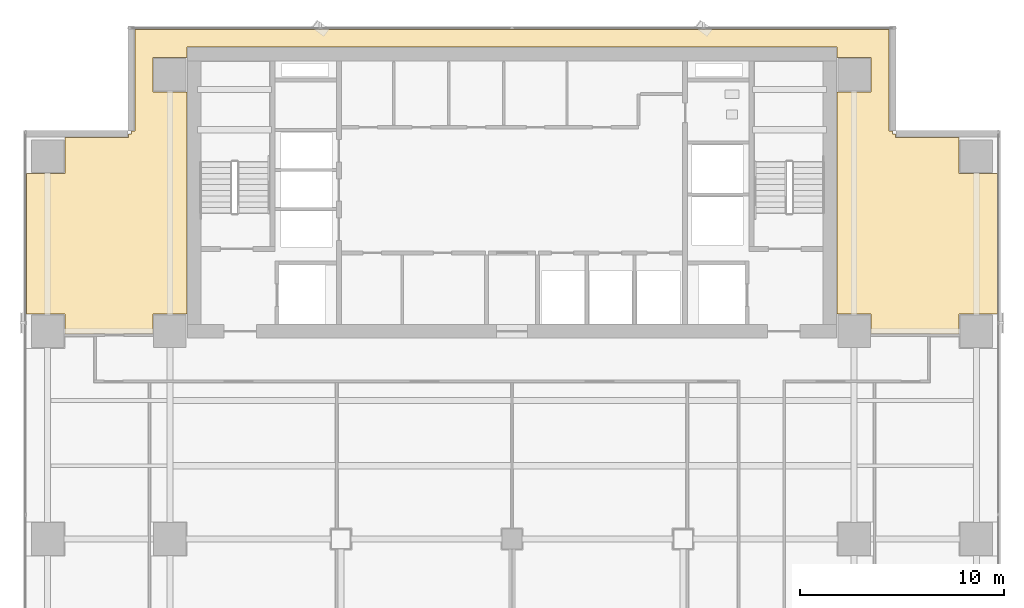
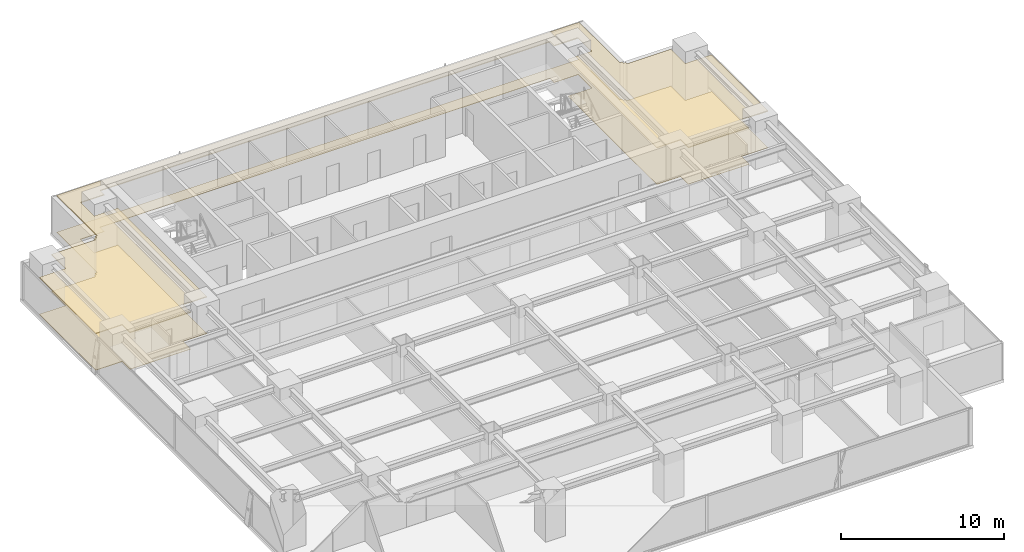
# One storey, part 26 of 28: 2 coverings.
"""IFC4 building model written with IfcOpenShell, lengths in metres."""

from ifc_helpers import new_model, si_unit, direction, frame, origin, place, context, subcontext, project, spatial, polyline, outline, extrude, material, layer, layer_set, type_object, element, save


model = new_model("IFC4")

# Units and contexts
model_context = context("Model", 3, precision=1e-05, world=origin(), true_north=direction((0.0, 1.0)))
body_context = subcontext(model_context, "Body", "Model", "MODEL_VIEW")
ifc_project = project(units=[si_unit("LENGTHUNIT", "METRE"), si_unit("AREAUNIT", "SQUARE_METRE"), si_unit("VOLUMEUNIT", "CUBIC_METRE"), si_unit("PLANEANGLEUNIT", "RADIAN"), si_unit("MASSUNIT", "GRAM", prefix="KILO")], contexts=[model_context])

# Site, building, storey
site_placement = place(None, origin())
site = spatial("IfcSite", under=ifc_project, at=site_placement, CompositionType="ELEMENT")
building_placement = place(site_placement, origin())
building = spatial("IfcBuilding", under=site, at=building_placement, Name="Sumidabori Civic Tower", CompositionType="ELEMENT")
storey_placement = place(building_placement, frame((0.0, 0.0, 182.0)))
storey = spatial("IfcBuildingStorey", under=building, at=storey_placement, Name="L47", CompositionType="ELEMENT", Elevation=182.0)

# Coverings
ifc_material_1 = material(Name="Gypsum Coffered Acoustic Ceiling")
ifc_layer_1 = layer(ifc_material_1, 0.06494140625, Name="Gypsum Coffered Acoustic Ceiling")
ifc_layer_set_1 = layer_set([ifc_layer_1], Name="Gypsum Coffered Acoustic Ceiling")
covering_type_1 = type_object("IfcCoveringType", Name="CV-CEIL-AC4", PredefinedType="CEILING", material=ifc_layer_set_1)
covering_1_placement = place(storey_placement, frame((0.0, 0.0, 2.72998046875)))
element("IfcCovering", 1, at=covering_1_placement, inside=storey, type_object=covering_type_1, Name="Room Acoustic Ceiling L47-01", PredefinedType="CEILING", context=body_context, shape_type="SweptSolid", body=[
    extrude(outline(polyline([(-23.830078125, 17.9599609375), (-21.9599609375, 17.9599609375), (-21.9599609375, 19.721923828125), (-18.842041015625, 19.721923828125), (-18.842041015625, 19.8798828125), (-18.679931640625, 19.8798828125), (-18.679931640625, 20.0419921875), (-18.52197265625, 20.0419921875), (-18.52197265625, 25.030029296875), (18.52197265625, 25.030029296875), (18.52197265625, 20.0419921875), (18.679931640625, 20.0419921875), (18.679931640625, 19.8798828125), (18.842041015625, 19.8798828125), (18.842041015625, 19.721923828125), (21.9599609375, 19.721923828125), (21.9599609375, 17.9599609375), (23.830078125, 17.9599609375), (23.830078125, 11.0400390625), (21.9599609375, 11.0400390625), (21.9599609375, 10.080078125), (20.5400390625, 10.080078125), (20.5400390625, 10.090087890625), (17.639892578125, 10.090087890625), (17.639892578125, 11.0400390625), (15.952880859375, 11.0400390625), (15.952880859375, 21.9599609375), (17.639892578125, 21.9599609375), (17.639892578125, 23.639892578125), (15.952880859375, 23.639892578125), (15.952880859375, 24.153076171875), (-15.952880859375, 24.153076171875), (-15.952880859375, 23.639892578125), (-17.639892578125, 23.639892578125), (-17.639892578125, 21.9599609375), (-15.952880859375, 21.9599609375), (-15.952880859375, 11.0400390625), (-17.639892578125, 11.0400390625), (-17.639892578125, 10.090087890625), (-20.5400390625, 10.090087890625), (-20.5400390625, 10.080078125), (-21.9599609375, 10.080078125), (-21.9599609375, 11.0400390625), (-23.830078125, 11.0400390625), (-23.830078125, 17.9599609375)])), origin(), (0.0, 0.0, 1.0), 0.06494140625),
])
ifc_material_2 = material(Name="Honed Terrazzo Tile Flooring")
ifc_layer_2 = layer(ifc_material_2, 0.030029296875, Name="Honed Terrazzo Tile Flooring")
ifc_layer_set_2 = layer_set([ifc_layer_2], Name="Honed Terrazzo Tile Flooring")
covering_type_2 = type_object("IfcCoveringType", Name="CV-FLR-TER", PredefinedType="FLOORING", material=ifc_layer_set_2)
covering_2_placement = place(storey_placement, origin())
element("IfcCovering", 2, at=covering_2_placement, inside=storey, type_object=covering_type_2, Name="Room Terrazzo Floor L47-01", PredefinedType="FLOORING", context=body_context, shape_type="SweptSolid", body=[
    extrude(outline(polyline([(-23.830078125, 17.9599609375), (-21.9599609375, 17.9599609375), (-21.9599609375, 19.721923828125), (-18.842041015625, 19.721923828125), (-18.842041015625, 19.8798828125), (-18.679931640625, 19.8798828125), (-18.679931640625, 20.0419921875), (-18.52197265625, 20.0419921875), (-18.52197265625, 25.030029296875), (18.52197265625, 25.030029296875), (18.52197265625, 20.0419921875), (18.679931640625, 20.0419921875), (18.679931640625, 19.8798828125), (18.842041015625, 19.8798828125), (18.842041015625, 19.721923828125), (21.9599609375, 19.721923828125), (21.9599609375, 17.9599609375), (23.830078125, 17.9599609375), (23.830078125, 11.0400390625), (21.9599609375, 11.0400390625), (21.9599609375, 10.080078125), (20.5400390625, 10.080078125), (20.5400390625, 10.090087890625), (17.639892578125, 10.090087890625), (17.639892578125, 11.0400390625), (15.952880859375, 11.0400390625), (15.952880859375, 21.9599609375), (17.639892578125, 21.9599609375), (17.639892578125, 23.639892578125), (15.952880859375, 23.639892578125), (15.952880859375, 24.153076171875), (-15.952880859375, 24.153076171875), (-15.952880859375, 23.639892578125), (-17.639892578125, 23.639892578125), (-17.639892578125, 21.9599609375), (-15.952880859375, 21.9599609375), (-15.952880859375, 11.0400390625), (-17.639892578125, 11.0400390625), (-17.639892578125, 10.090087890625), (-20.5400390625, 10.090087890625), (-20.5400390625, 10.080078125), (-21.9599609375, 10.080078125), (-21.9599609375, 11.0400390625), (-23.830078125, 11.0400390625), (-23.830078125, 17.9599609375)])), origin(), (0.0, 0.0, 1.0), 0.030029296875),
])

save(model, "model.ifc")
